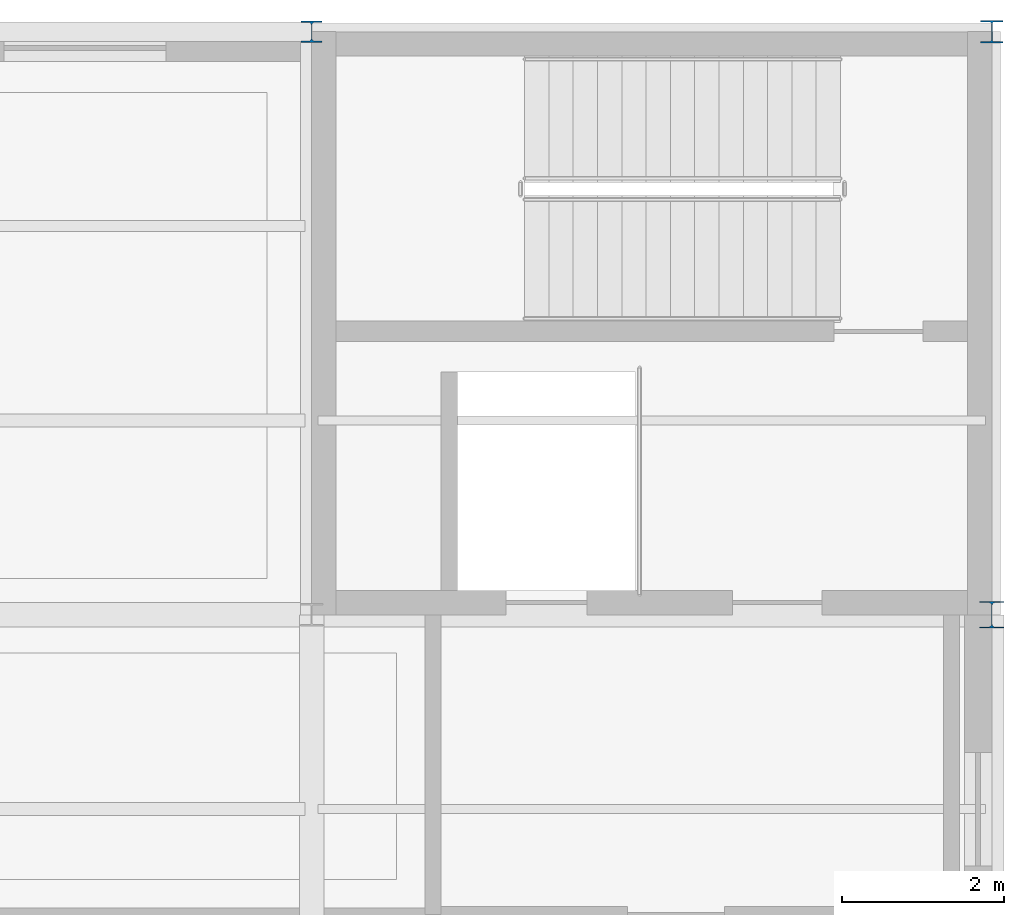
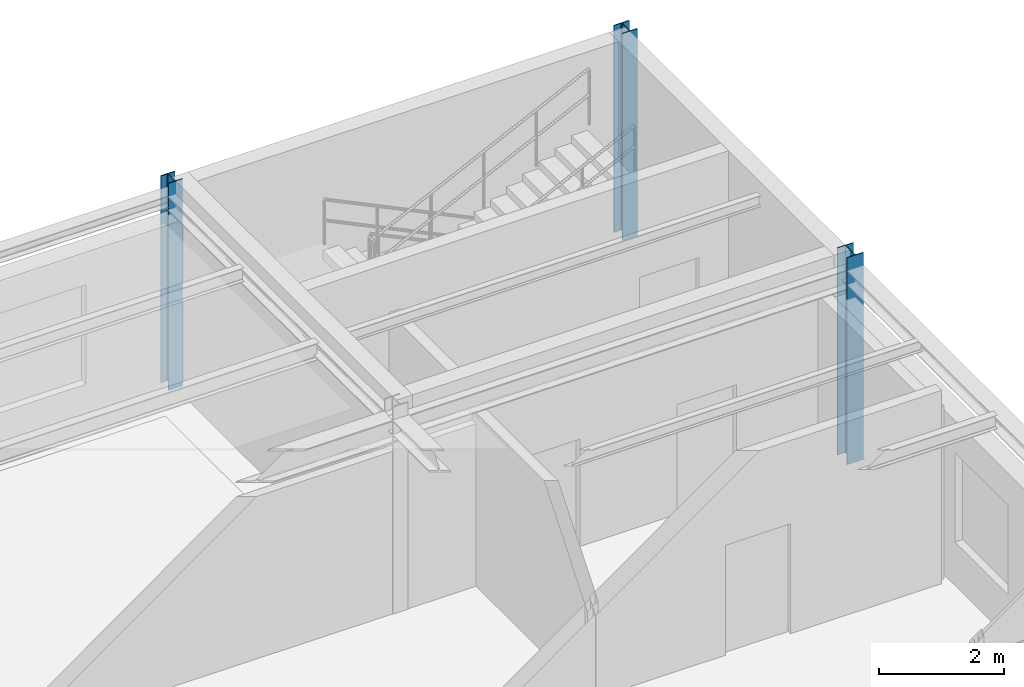
# One storey, part 8 of 58: 3 columns.
"""IFC4 building model written with IfcOpenShell, lengths in metres."""

from ifc_helpers import new_model, si_unit, derived_unit, direction, frame, origin, origin_2d, place, context, subcontext, project, spatial, i_section, extrude, material, material_profile, profile_set, type_object, element, save


model = new_model("IFC4")

# Units and contexts
model_context = context("Model", 3, precision=1e-05, world=origin(), true_north=direction((0.0, 1.0)))
body_context = subcontext(model_context, "Body", "Model", "MODEL_VIEW")
ifc_project = project(units=[si_unit("LENGTHUNIT", "METRE"), si_unit("AREAUNIT", "SQUARE_METRE"), si_unit("VOLUMEUNIT", "CUBIC_METRE"), si_unit("PLANEANGLEUNIT", "RADIAN"), si_unit("MASSUNIT", "GRAM", prefix="KILO"), derived_unit("THERMALTRANSMITTANCEUNIT", [(si_unit("POWERUNIT", "WATT"), 1), (si_unit("AREAUNIT", "SQUARE_METRE"), -1), (si_unit("THERMODYNAMICTEMPERATUREUNIT", "KELVIN"), -1)])], contexts=[model_context])

# Site, building, storey
site_placement = place(None, origin())
site = spatial("IfcSite", under=ifc_project, at=site_placement, CompositionType="ELEMENT")
building_placement = place(site_placement, origin())
building = spatial("IfcBuilding", under=site, at=building_placement, Name="Yasenodar Specialist Clinic", CompositionType="ELEMENT")
storey_placement = place(building_placement, frame((0.0, 0.0, 21.300048828125)))
storey = spatial("IfcBuildingStorey", under=building, at=storey_placement, Name="L05", CompositionType="ELEMENT", Elevation=21.300048828125)

# Columns
ifc_material = material(Name="Steel S355", Category="steel")
ifc_material_profile_1 = material_profile(ifc_material, i_section(OverallWidth=0.300048828125, OverallDepth=0.330078125, WebThickness=0.009521484375, FlangeThickness=0.0166015625, FilletRadius=0.027099609375, at=origin_2d()), Name="HEA 340")
ifc_profile_set_1 = profile_set([ifc_material_profile_1], Name="Steel S355")
column_type_1 = type_object("IfcColumnType", Name="COL-ST-HEA340", PredefinedType="COLUMN", material=ifc_profile_set_1)
column_1_placement = place(storey_placement, frame((121.800048828125, 104.39990234375, 0.0), z_axis=(0.0, 0.0, 1.0), x_axis=(1.0, 0.0, 0.0)))
element("IfcColumn", 1, at=column_1_placement, inside=storey, type_object=column_type_1, Name="L05 Column V5-144", PredefinedType="COLUMN", context=body_context, shape_type="SweptSolid", body=[
    extrude(i_section(OverallWidth=0.300048828125, OverallDepth=0.330078125, WebThickness=0.009521484375, FlangeThickness=0.0166015625, FilletRadius=0.027099609375, at=origin_2d()), origin(), (0.0, 0.0, 1.0), 4.050048828125),
])
ifc_material_profile_2 = material_profile(ifc_material, i_section(OverallWidth=0.260009765625, OverallDepth=0.260009765625, WebThickness=0.010009765625, FlangeThickness=0.017578125, FilletRadius=0.02392578125, at=origin_2d()), Name="HEB 260")
ifc_profile_set_2 = profile_set([ifc_material_profile_2], Name="Steel S355")
column_type_2 = type_object("IfcColumnType", Name="COL-ST-HEB260", PredefinedType="COLUMN", material=ifc_profile_set_2)
column_2_placement = place(storey_placement, frame((113.39990234375, 111.60009765625, 0.0), z_axis=(0.0, 0.0, 1.0), x_axis=(1.0, 0.0, 0.0)))
element("IfcColumn", 2, at=column_2_placement, inside=storey, type_object=column_type_2, Name="L05 Column V5-136", PredefinedType="COLUMN", context=body_context, shape_type="SweptSolid", body=[
    extrude(i_section(OverallWidth=0.260009765625, OverallDepth=0.260009765625, WebThickness=0.010009765625, FlangeThickness=0.017578125, FilletRadius=0.02392578125, at=origin_2d()), origin(), (0.0, 0.0, 1.0), 4.050048828125),
])
ifc_material_profile_3 = material_profile(ifc_material, i_section(OverallWidth=0.280029296875, OverallDepth=0.280029296875, WebThickness=0.010498046875, FlangeThickness=0.01806640625, FilletRadius=0.02392578125, at=origin_2d()), Name="HEB 280")
ifc_profile_set_3 = profile_set([ifc_material_profile_3], Name="Steel S355")
column_type_3 = type_object("IfcColumnType", Name="COL-ST-HEB280", PredefinedType="COLUMN", material=ifc_profile_set_3)
column_3_placement = place(storey_placement, frame((121.800048828125, 111.60009765625, 0.0), z_axis=(0.0, 0.0, 1.0), x_axis=(1.0, 0.0, 0.0)))
element("IfcColumn", 3, at=column_3_placement, inside=storey, type_object=column_type_3, Name="L05 Column V5-145", PredefinedType="COLUMN", context=body_context, shape_type="SweptSolid", body=[
    extrude(i_section(OverallWidth=0.280029296875, OverallDepth=0.280029296875, WebThickness=0.010498046875, FlangeThickness=0.01806640625, FilletRadius=0.02392578125, at=origin_2d()), origin(), (0.0, 0.0, 1.0), 4.050048828125),
])

save(model, "model.ifc")
